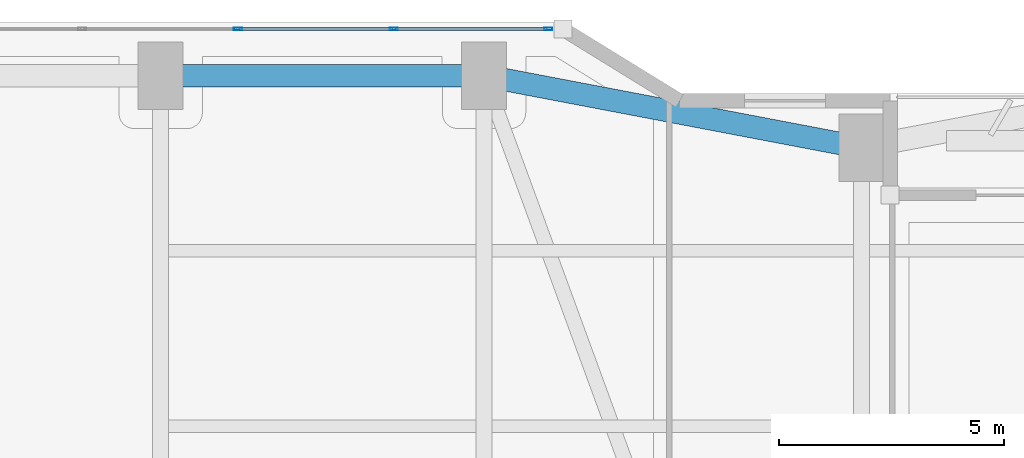
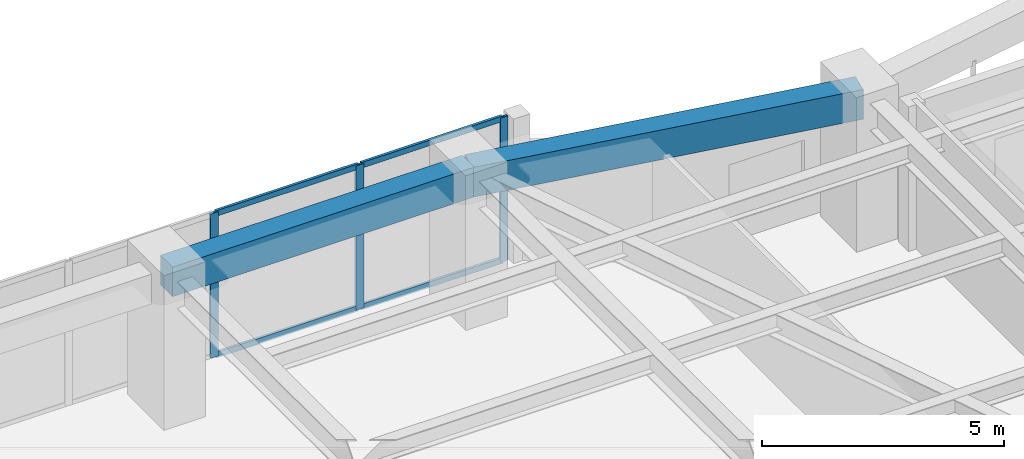
# One storey, part 17 of 29: 7 members, 2 beams, 1 element without a shape of its own.
"""IFC4 building model written with IfcOpenShell, lengths in metres."""

from ifc_helpers import new_model, si_unit, direction, frame, origin, origin_2d, place, context, subcontext, project, spatial, rectangle, hollow_rectangle, extrude, material, layer, layer_set, material_profile, profile_set, type_object, element, aggregate, save


model = new_model("IFC4")

# Units and contexts
model_context = context("Model", 3, precision=1e-05, world=origin(), true_north=direction((0.0, 1.0)))
body_context = subcontext(model_context, "Body", "Model", "MODEL_VIEW")
ifc_project = project(units=[si_unit("LENGTHUNIT", "METRE"), si_unit("AREAUNIT", "SQUARE_METRE"), si_unit("VOLUMEUNIT", "CUBIC_METRE"), si_unit("PLANEANGLEUNIT", "RADIAN"), si_unit("MASSUNIT", "GRAM", prefix="KILO")], contexts=[model_context])

# Site, building, storey
site_placement = place(None, origin())
site = spatial("IfcSite", under=ifc_project, at=site_placement, CompositionType="ELEMENT")
building_placement = place(site_placement, origin())
building = spatial("IfcBuilding", under=site, at=building_placement, Name="Kiyonajd Concourse Tower", CompositionType="ELEMENT")
storey_placement = place(building_placement, frame((0.0, 0.0, 29.39990234375)))
storey = spatial("IfcBuildingStorey", under=building, at=storey_placement, Name="L08", CompositionType="ELEMENT", Elevation=29.39990234375)

# Beams
ifc_material_1 = material(Name="Precast concrete C50/60", Category="concrete")
ifc_material_profile_1 = material_profile(ifc_material_1, rectangle(XDim=0.5, YDim=0.75, at=origin_2d()), Name="RCBM-500x750")
ifc_profile_set_1 = profile_set([ifc_material_profile_1], Name="Precast concrete C50/60")
beam_type = type_object("IfcBeamType", Name="BM-SPAN-RC", PredefinedType="SPANDREL", material=ifc_profile_set_1)
beam_1_placement = place(storey_placement, frame((48.0, 59.60009765625, 3.26513671875), z_axis=(-0.982341315253, 0.187097675953, 0.0), x_axis=(-0.187097675953, -0.982341315253, 0.0)))
element("IfcBeam", 1, at=beam_1_placement, inside=storey, type_object=beam_type, Name="L08 Perimeter Bundled Tube Spandrel", PredefinedType="SPANDREL", context=body_context, shape_type="SweptSolid", body=[
    extrude(rectangle(XDim=0.5, YDim=0.75, at=origin_2d()), origin(), (0.0, 0.0, 1.0), 8.55078125),
])
beam_2_placement = place(storey_placement, frame((39.60009765625, 61.199951171875, 3.26513671875), z_axis=(-1.0, 0.0, 0.0), x_axis=(0.0, -1.0, 0.0)))
element("IfcBeam", 2, at=beam_2_placement, inside=storey, type_object=beam_type, Name="L08 Perimeter Bundled Tube Spandrel", PredefinedType="SPANDREL", context=body_context, shape_type="SweptSolid", body=[
    extrude(rectangle(XDim=0.5, YDim=0.75, at=origin_2d()), origin(), (0.0, 0.0, 1.0), 7.2001953125),
])

# Curtain wall, members
ifc_material_2 = material(Name="Thermally Broken Anodised Aluminium", Category="aluminium")
ifc_layer = layer(ifc_material_2, 0.179931640625)
ifc_layer_set = layer_set([ifc_layer], Name="Thermally Broken Anodised Aluminium")
curtain_wall_type = type_object("IfcCurtainWallType", Name="CW-SYS-02", PredefinedType="NOTDEFINED", material=ifc_layer_set)
curtain_wall_placement = place(storey_placement, origin())
curtain_wall = element("IfcCurtainWall", 3, at=curtain_wall_placement, inside=storey, type_object=curtain_wall_type, Name="L08 Unitised Curtain Wall CW2", PredefinedType="NOTDEFINED")
ifc_material_profile_2 = material_profile(ifc_material_2, hollow_rectangle(XDim=0.06494140625, YDim=0.179931640625, WallThickness=0.00390625, at=origin_2d()), Name="MULL-65x180")
ifc_profile_set_2 = profile_set([ifc_material_profile_2], Name="Thermally Broken Anodised Aluminium")
member_type_1 = type_object("IfcMemberType", Name="MB-CW-MULL1", PredefinedType="MULLION", material=ifc_profile_set_2)
member_1_placement = place(storey_placement, frame((34.123291015625, 62.239990234375, 0.0), z_axis=(0.0, 0.0, 1.0), x_axis=(0.0, 1.0, 0.0)))
member_1 = element("IfcMember", 4, at=member_1_placement, type_object=member_type_1, Name="CW2 mullion 4", PredefinedType="MULLION", context=body_context, shape_type="SweptSolid", body=[
    extrude(hollow_rectangle(XDim=0.06494140625, YDim=0.179931640625, WallThickness=0.00390625, at=origin_2d()), origin(), (0.0, 0.0, 1.0), 3.64013671875),
])
member_2_placement = place(storey_placement, frame((37.593994140625, 62.239990234375, 0.0), z_axis=(0.0, 0.0, 1.0), x_axis=(0.0, 1.0, 0.0)))
member_2 = element("IfcMember", 5, at=member_2_placement, type_object=member_type_1, Name="CW2 mullion 5", PredefinedType="MULLION", context=body_context, shape_type="SweptSolid", body=[
    extrude(hollow_rectangle(XDim=0.06494140625, YDim=0.179931640625, WallThickness=0.00390625, at=origin_2d()), origin(), (0.0, 0.0, 1.0), 3.64013671875),
])
member_3_placement = place(storey_placement, frame((41.0322265625, 62.239990234375, 0.0), z_axis=(0.0, 0.0, 1.0), x_axis=(0.0, 1.0, 0.0)))
member_3 = element("IfcMember", 6, at=member_3_placement, type_object=member_type_1, Name="CW2 mullion 6", PredefinedType="MULLION", context=body_context, shape_type="SweptSolid", body=[
    extrude(hollow_rectangle(XDim=0.06494140625, YDim=0.179931640625, WallThickness=0.00390625, at=origin_2d()), origin(), (0.0, 0.0, 1.0), 3.64013671875),
])
ifc_material_profile_3 = material_profile(ifc_material_2, hollow_rectangle(XDim=0.06494140625, YDim=0.139892578125, WallThickness=0.00390625, at=origin_2d()), Name="TRAN-65x140")
ifc_profile_set_3 = profile_set([ifc_material_profile_3], Name="Thermally Broken Anodised Aluminium")
member_type_2 = type_object("IfcMemberType", Name="MB-CW-TRAN1", PredefinedType="USERDEFINED", material=ifc_profile_set_3)
member_4_placement = place(storey_placement, frame((34.15576171875, 62.239990234375, 0.03271484375), z_axis=(1.0, 0.0, 0.0), x_axis=(0.0, 1.0, 0.0)))
member_4 = element("IfcMember", 7, at=member_4_placement, type_object=member_type_2, Name="CW2 transom 4.1", ObjectType="TRANSOM", PredefinedType="USERDEFINED", context=body_context, shape_type="SweptSolid", body=[
    extrude(hollow_rectangle(XDim=0.06494140625, YDim=0.139892578125, WallThickness=0.00390625, at=origin_2d()), origin(), (0.0, 0.0, 1.0), 3.40576171875),
])
member_5_placement = place(storey_placement, frame((34.15576171875, 62.239990234375, 3.607666015625), z_axis=(1.0, 0.0, 0.0), x_axis=(0.0, 1.0, 0.0)))
member_5 = element("IfcMember", 8, at=member_5_placement, type_object=member_type_2, Name="CW2 transom 4.2", ObjectType="TRANSOM", PredefinedType="USERDEFINED", context=body_context, shape_type="SweptSolid", body=[
    extrude(hollow_rectangle(XDim=0.06494140625, YDim=0.139892578125, WallThickness=0.00390625, at=origin_2d()), origin(), (0.0, 0.0, 1.0), 3.40576171875),
])
member_6_placement = place(storey_placement, frame((37.62646484375, 62.239990234375, 0.03271484375), z_axis=(1.0, 0.0, 0.0), x_axis=(0.0, 1.0, 0.0)))
member_6 = element("IfcMember", 9, at=member_6_placement, type_object=member_type_2, Name="CW2 transom 5.1", ObjectType="TRANSOM", PredefinedType="USERDEFINED", context=body_context, shape_type="SweptSolid", body=[
    extrude(hollow_rectangle(XDim=0.06494140625, YDim=0.139892578125, WallThickness=0.00390625, at=origin_2d()), origin(), (0.0, 0.0, 1.0), 3.373291015625),
])
member_7_placement = place(storey_placement, frame((37.62646484375, 62.239990234375, 3.607666015625), z_axis=(1.0, 0.0, 0.0), x_axis=(0.0, 1.0, 0.0)))
member_7 = element("IfcMember", 10, at=member_7_placement, type_object=member_type_2, Name="CW2 transom 5.2", ObjectType="TRANSOM", PredefinedType="USERDEFINED", context=body_context, shape_type="SweptSolid", body=[
    extrude(hollow_rectangle(XDim=0.06494140625, YDim=0.139892578125, WallThickness=0.00390625, at=origin_2d()), origin(), (0.0, 0.0, 1.0), 3.373291015625),
])
aggregate(curtain_wall, [member_1, member_2, member_3, member_4, member_5, member_6, member_7])

save(model, "model.ifc")
